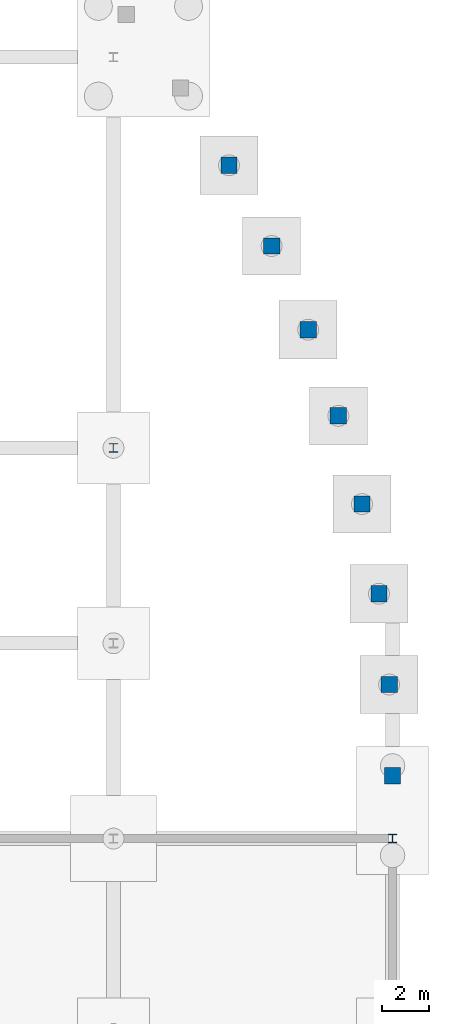
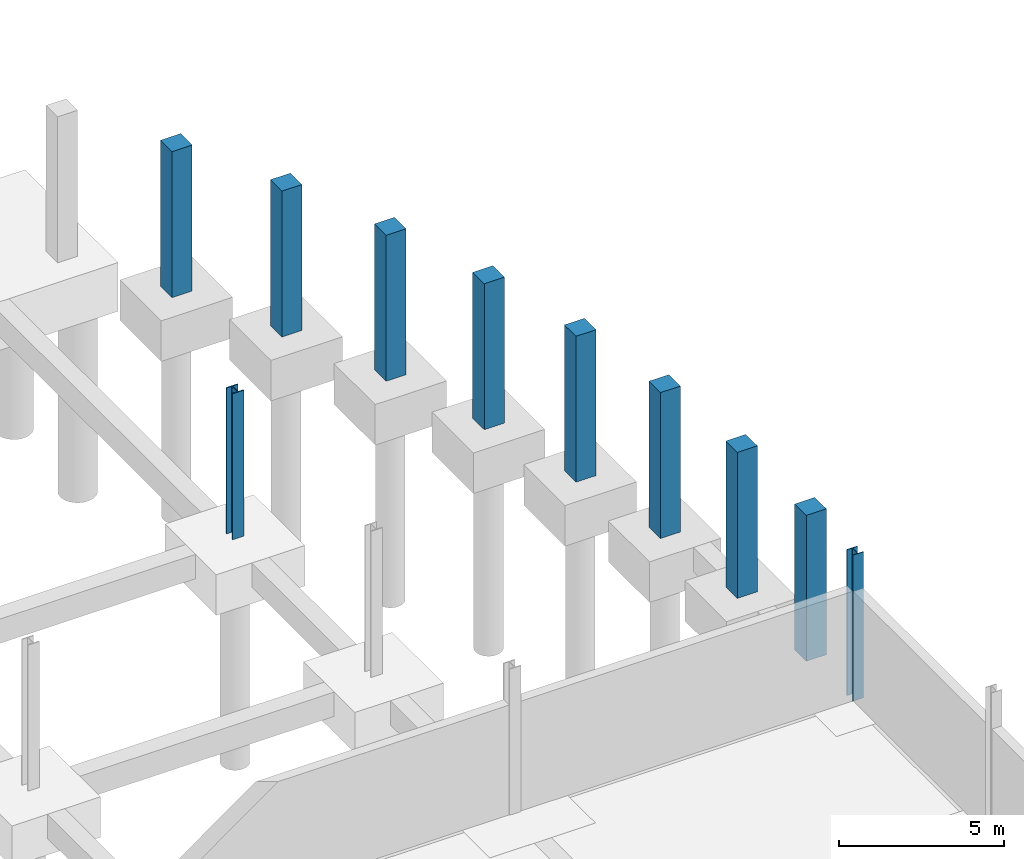
# One storey, part 19 of 36: 10 columns.
"""IFC4 building model written with IfcOpenShell, lengths in metres."""

from ifc_helpers import new_model, si_unit, direction, frame, origin, origin_2d, place, context, subcontext, project, spatial, rectangle, i_section, extrude, material, material_profile, profile_set, type_object, element, save


model = new_model("IFC4")

# Units and contexts
model_context = context("Model", 3, precision=1e-05, world=origin(), true_north=direction((0.0, 1.0)))
body_context = subcontext(model_context, "Body", "Model", "MODEL_VIEW")
ifc_project = project(units=[si_unit("LENGTHUNIT", "METRE"), si_unit("AREAUNIT", "SQUARE_METRE"), si_unit("VOLUMEUNIT", "CUBIC_METRE"), si_unit("PLANEANGLEUNIT", "RADIAN"), si_unit("MASSUNIT", "GRAM", prefix="KILO"), si_unit("THERMODYNAMICTEMPERATUREUNIT", "KELVIN"), si_unit("POWERUNIT", "WATT")], contexts=[model_context])

# Site, building, storey
site_placement = place(None, origin())
site = spatial("IfcSite", under=ifc_project, at=site_placement, CompositionType="ELEMENT")
building_placement = place(site_placement, origin())
building = spatial("IfcBuilding", under=site, at=building_placement, Name="Tembeka Court Mobility Hub", CompositionType="ELEMENT")
storey_placement = place(building_placement, frame((0.0, 0.0, -5.39990234375)))
storey = spatial("IfcBuildingStorey", under=building, at=storey_placement, Name="B1", CompositionType="ELEMENT", Elevation=-5.39990234375)

# Columns
ifc_material_1 = material(Name="Steel S355", Category="steel")
ifc_material_profile_1 = material_profile(ifc_material_1, i_section(OverallWidth=0.39892578125, OverallDepth=0.39404296875, WebThickness=0.022705078125, FlangeThickness=0.03662109375, FilletRadius=0.01513671875, at=origin_2d()), Name="UKC 356x406x287")
ifc_profile_set_1 = profile_set([ifc_material_profile_1], Name="Steel S355")
column_type_1 = type_object("IfcColumnType", Name="COL-C01", PredefinedType="COLUMN", material=ifc_profile_set_1)
column_1_placement = place(storey_placement, frame((164.39990234375, 80.39990234375, 0.0), z_axis=(0.0, 0.0, 1.0), x_axis=(1.0, 0.0, 0.0)))
element("IfcColumn", 1, at=column_1_placement, inside=storey, type_object=column_type_1, Name="Column C01 (B1-228)", PredefinedType="COLUMN", context=body_context, shape_type="SweptSolid", body=[
    extrude(i_section(OverallWidth=0.39892578125, OverallDepth=0.39404296875, WebThickness=0.022705078125, FlangeThickness=0.03662109375, FilletRadius=0.01513671875, at=origin_2d()), origin(), (0.0, 0.0, 1.0), 5.39990234375),
])
ifc_material_profile_2 = material_profile(ifc_material_1, i_section(OverallWidth=0.373046875, OverallDepth=0.367919921875, WebThickness=0.014404296875, FlangeThickness=0.023681640625, FilletRadius=0.01513671875, at=origin_2d()), Name="UKC 356x368x177")
ifc_profile_set_2 = profile_set([ifc_material_profile_2], Name="Steel S355")
column_type_2 = type_object("IfcColumnType", Name="COL-C03", PredefinedType="COLUMN", material=ifc_profile_set_2)
column_2_placement = place(storey_placement, frame((176.39990234375, 63.60009765625, 0.0), z_axis=(0.0, 0.0, 1.0), x_axis=(1.0, 0.0, 0.0)))
element("IfcColumn", 2, at=column_2_placement, inside=storey, type_object=column_type_2, Name="Column C03 (B1-245)", PredefinedType="COLUMN", context=body_context, shape_type="SweptSolid", body=[
    extrude(i_section(OverallWidth=0.373046875, OverallDepth=0.367919921875, WebThickness=0.014404296875, FlangeThickness=0.023681640625, FilletRadius=0.01513671875, at=origin_2d()), origin(), (0.0, 0.0, 1.0), 5.39990234375),
])
ifc_material_2 = material(Name="Concrete C40/50", Category="concrete")
ifc_material_profile_3 = material_profile(ifc_material_2, rectangle(XDim=0.699951171875, YDim=0.699951171875, at=origin_2d()), Name="RC-COL 700x700")
ifc_profile_set_3 = profile_set([ifc_material_profile_3], Name="Concrete C40/50")
column_type_3 = type_object("IfcColumnType", Name="COL-RC01", PredefinedType="COLUMN", material=ifc_profile_set_3)
for number, where, z_axis, x_axis, name in (
    (3, (169.3662109375, 92.550048828125, 0.0), (0.0, 0.0, 1.0), (1.0, 0.0, 0.0), "Column RC01 (B1-232)"),
    (4, (171.200927734375, 89.078857421875, 0.0), (0.0, 0.0, 1.0), (1.0, 0.0, 0.0), "Column RC01 (B1-233)"),
    (5, (172.77099609375, 85.48046875, 0.0), (0.0, 0.0, 1.0), (1.0, 0.0, 0.0), "Column RC01 (B1-234)"),
    (6, (174.067626953125, 81.774658203125, 0.0), (0.0, 0.0, 1.0), (1.0, 0.0, 0.0), "Column RC01 (B1-235)"),
    (7, (175.083740234375, 77.982421875, 0.0), (0.0, 0.0, 1.0), (1.0, 0.0, 0.0), "Column RC01 (B1-236)"),
    (8, (175.813720703125, 74.124755859375, 0.0), (0.0, 0.0, 1.0), (1.0, 0.0, 0.0), "Column RC01 (B1-237)"),
    (9, (176.253173828125, 70.223388671875, 0.0), (0.0, 0.0, 1.0), (1.0, 0.0, 0.0), "Column RC01 (B1-238)"),
    (10, (176.39990234375, 66.300048828125, 0.0), (0.0, 0.0, 1.0), (1.0, 0.0, 0.0), "Column RC01 (B1-246)"),
):
    element("IfcColumn", number, at=place(storey_placement, frame(where, z_axis=z_axis, x_axis=x_axis)), inside=storey, type_object=column_type_3, Name=name, PredefinedType="COLUMN", context=body_context, shape_type="SweptSolid", body=[
        extrude(rectangle(XDim=0.699951171875, YDim=0.699951171875, at=origin_2d()), origin(), (0.0, 0.0, 1.0), 5.39990234375),
    ])

save(model, "model.ifc")
